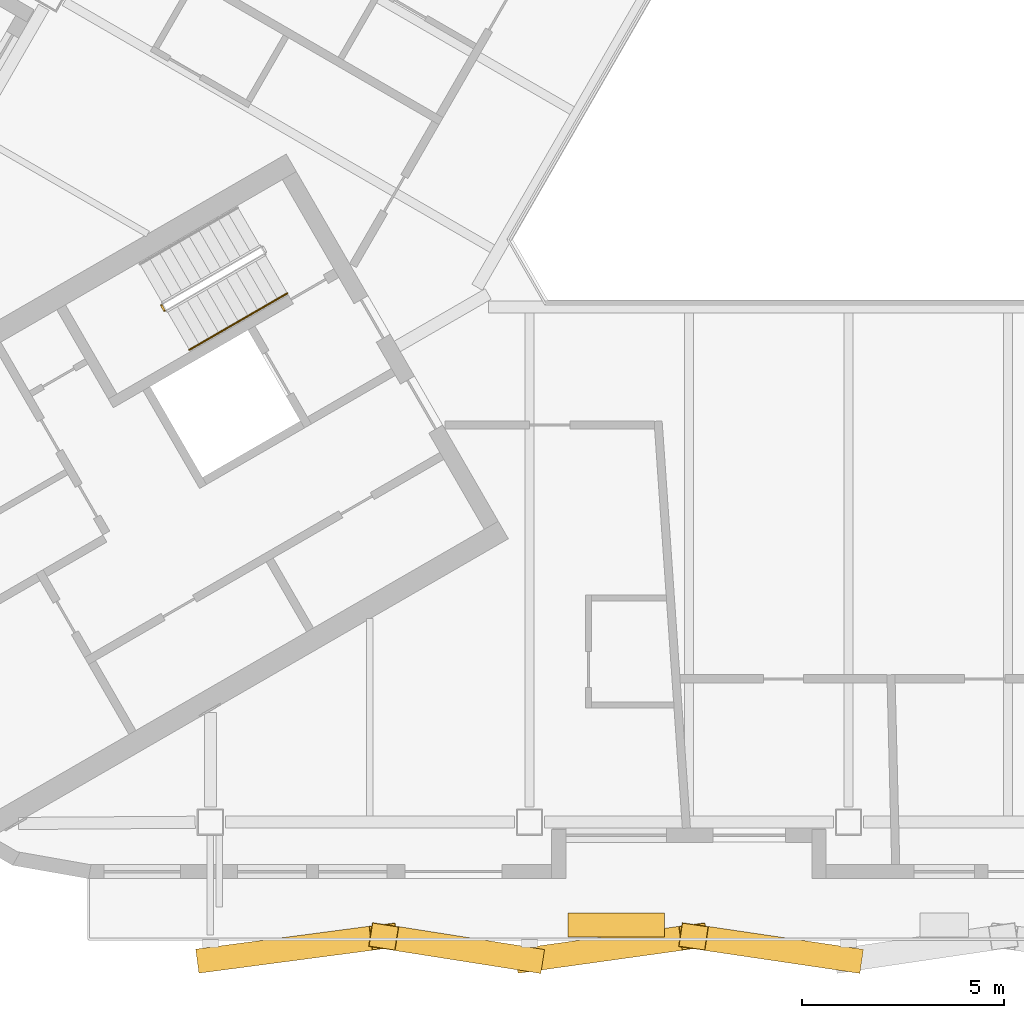
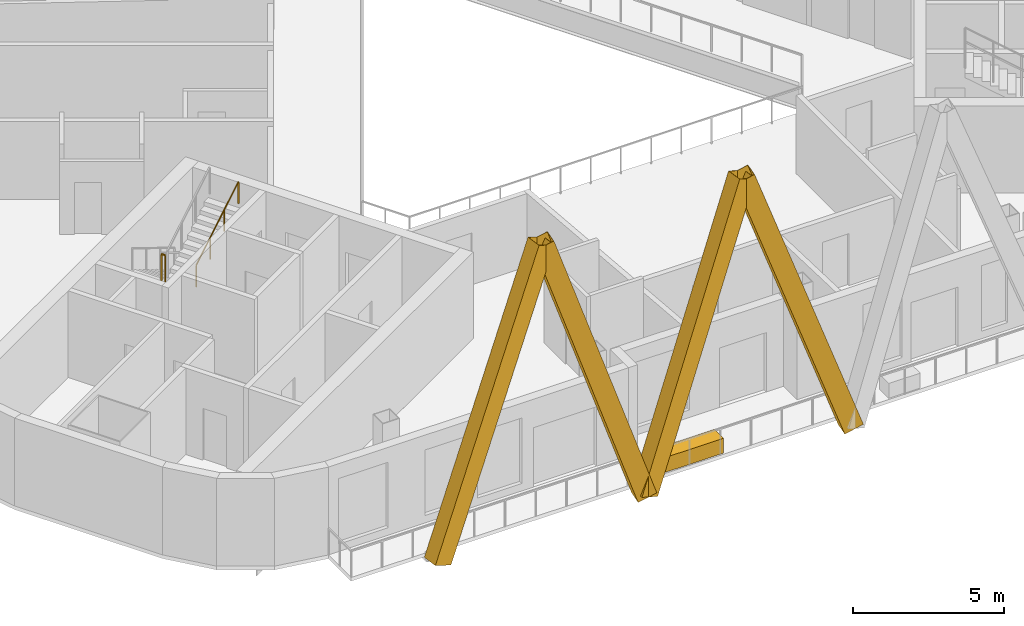
# One storey, part 12 of 18: 4 shading devices, 2 railings, 1 covering.
"""IFC4 building model written with IfcOpenShell, lengths in metres."""

from ifc_helpers import new_model, si_unit, direction, frame, origin, origin_2d, place, context, subcontext, project, spatial, rectangle, hollow_rectangle, circle, extrude, material, material_profile, profile_set, type_object, element, save


model = new_model("IFC4")

# Units and contexts
model_context = context("Model", 3, precision=1e-05, world=origin(), true_north=direction((0.0, 1.0)))
body_context = subcontext(model_context, "Body", "Model", "MODEL_VIEW")
ifc_project = project(units=[si_unit("LENGTHUNIT", "METRE"), si_unit("AREAUNIT", "SQUARE_METRE"), si_unit("VOLUMEUNIT", "CUBIC_METRE"), si_unit("PLANEANGLEUNIT", "RADIAN"), si_unit("MASSUNIT", "GRAM", prefix="KILO")], contexts=[model_context])

# Site, building, storey
site_placement = place(None, origin())
site = spatial("IfcSite", under=ifc_project, at=site_placement, CompositionType="ELEMENT")
building_placement = place(site_placement, origin())
building = spatial("IfcBuilding", under=site, at=building_placement, Name="Apuvela Tower Hotel", CompositionType="ELEMENT")
storey_placement = place(building_placement, frame((0.0, 0.0, 246.699951171875)))
storey = spatial("IfcBuildingStorey", under=building, at=storey_placement, Name="L60", CompositionType="ELEMENT", Elevation=246.699951171875)

# Railings
ifc_material_1 = material(Name="Steel S275 balustrade", Category="steel")
railing_type_1 = type_object("IfcRailingType", Name="COR-GUARD-1100", PredefinedType="GUARDRAIL", material=ifc_material_1)
railing_1_placement = place(storey_placement, frame((-17.01220703125, -5.43408203125, 1.85009765625)))
element("IfcRailing", 1, at=railing_1_placement, inside=storey, type_object=railing_type_1, Name="L60 ST2 stair guard 2", PredefinedType="GUARDRAIL", context=body_context, shape_type="SweptSolid", body=[
    extrude(rectangle(XDim=0.048095703125, YDim=0.048095703125, at=origin_2d()), frame((0.0, 0.0, 1.076171875), z_axis=(0.499816412211, -0.866131372301, 0.0), x_axis=(0.866131372301, 0.499816412211, 0.0)), (0.0, 0.0, 1.0), 0.14990234375),
    extrude(rectangle(XDim=0.0419921875, YDim=0.0419921875, at=origin_2d()), origin(), (0.0, 0.0, 1.0), 1.052001953125),
    extrude(rectangle(XDim=0.0419921875, YDim=0.0419921875, at=origin_2d()), frame((0.074951171875, -0.1298828125, 0.0)), (0.0, 0.0, 1.0), 1.052001953125),
])
ifc_material_2 = material(Name="Stainless steel 316 handrail", Category="steel")
railing_type_2 = type_object("IfcRailingType", Name="COR-HANDRAIL-900", PredefinedType="HANDRAIL", material=ifc_material_2)
railing_2_placement = place(storey_placement, frame((-16.31884765625, -6.534912109375, 2.018310546875)))
element("IfcRailing", 2, at=railing_2_placement, inside=storey, type_object=railing_type_2, Name="L60 ST2 stair handrail 2", PredefinedType="HANDRAIL", context=body_context, shape_type="SweptSolid", body=[
    extrude(circle(Radius=0.02392578125, at=origin_2d()), frame((0.0, 0.0, 0.8759765625), z_axis=(0.74241905619, 0.428617687091, 0.514879426), x_axis=(-0.49998411664, 0.866034573852, 0.0)), (0.0, 0.0, 1.0), 3.26611328125),
    extrude(rectangle(XDim=0.0419921875, YDim=0.0419921875, at=origin_2d()), origin(), (0.0, 0.0, 1.0), 0.851806640625),
    extrude(rectangle(XDim=0.0419921875, YDim=0.0419921875, at=origin_2d()), frame((0.808349609375, 0.466552734375, 0.560546875)), (0.0, 0.0, 1.0), 0.851806640625),
    extrude(rectangle(XDim=0.0419921875, YDim=0.0419921875, at=origin_2d()), frame((1.616455078125, 0.933349609375, 1.12109375)), (0.0, 0.0, 1.0), 0.851806640625),
    extrude(rectangle(XDim=0.0419921875, YDim=0.0419921875, at=origin_2d()), frame((2.4248046875, 1.39990234375, 1.681640625)), (0.0, 0.0, 1.0), 0.851806640625),
])

# Shading devices
ifc_material_3 = material(Name="Aluminium 6063-T6, black anodised", Category="aluminium")
ifc_material_profile = material_profile(ifc_material_3, hollow_rectangle(XDim=0.60009765625, YDim=0.699951171875, WallThickness=0.011962890625, at=origin_2d()), Name="AL BOX 700x600x12")
ifc_profile_set = profile_set([ifc_material_profile], Name="Aluminium 6063-T6, black anodised")
shading_device_type = type_object("IfcShadingDeviceType", Name="ENV-FIN-700x600", PredefinedType="USERDEFINED", material=ifc_profile_set)
shading_device_1_placement = place(storey_placement, frame((-15.800048828125, -21.6298828125, -0.099853515625), z_axis=(0.360258113368, 0.047580873627, 0.931638423541), x_axis=(-0.130937323536, 0.991390648183, 0.0)))
element("IfcShadingDevice", 3, at=shading_device_1_placement, inside=storey, type_object=shading_device_type, Name="Lattice fin S529", ObjectType="FIN", PredefinedType="USERDEFINED", context=body_context, shape_type="SweptSolid", body=[
    extrude(hollow_rectangle(XDim=0.60009765625, YDim=0.699951171875, WallThickness=0.011962890625, at=origin_2d()), origin(), (0.0, 0.0, 1.0), 11.914306640625),
])
shading_device_2_placement = place(storey_placement, frame((-7.89990234375, -21.6298828125, -0.099853515625), z_axis=(-0.30875756098, 0.048513672797, 0.949902727699), x_axis=(-0.155221058729, -0.987879761371, 0.0)))
element("IfcShadingDevice", 4, at=shading_device_2_placement, inside=storey, type_object=shading_device_type, Name="Lattice fin S530", ObjectType="FIN", PredefinedType="USERDEFINED", context=body_context, shape_type="SweptSolid", body=[
    extrude(hollow_rectangle(XDim=0.60009765625, YDim=0.699951171875, WallThickness=0.011962890625, at=origin_2d()), origin(), (0.0, 0.0, 1.0), 11.685302734375),
])
shading_device_3_placement = place(storey_placement, frame((-7.89990234375, -21.6298828125, -0.099853515625), z_axis=(0.343413845708, 0.047903817718, 0.937961702216), x_axis=(-0.138155314048, 0.990410576075, 0.0)))
element("IfcShadingDevice", 5, at=shading_device_3_placement, inside=storey, type_object=shading_device_type, Name="Lattice fin S531", ObjectType="FIN", PredefinedType="USERDEFINED", context=body_context, shape_type="SweptSolid", body=[
    extrude(hollow_rectangle(XDim=0.60009765625, YDim=0.699951171875, WallThickness=0.011962890625, at=origin_2d()), origin(), (0.0, 0.0, 1.0), 11.833984375),
])
shading_device_4_placement = place(storey_placement, frame((0.0, -21.6298828125, -0.099853515625), z_axis=(-0.326250119611, 0.048214917117, 0.944053060596), x_axis=(-0.146197249059, -0.98925545961, 0.0)))
element("IfcShadingDevice", 6, at=shading_device_4_placement, inside=storey, type_object=shading_device_type, Name="Lattice fin S532", ObjectType="FIN", PredefinedType="USERDEFINED", context=body_context, shape_type="SweptSolid", body=[
    extrude(hollow_rectangle(XDim=0.60009765625, YDim=0.699951171875, WallThickness=0.011962890625, at=origin_2d()), origin(), (0.0, 0.0, 1.0), 11.757568359375),
])

# Covering
ifc_material_4 = material(Name="Planting substrate and soil, planted")
covering_type = type_object("IfcCoveringType", Name="ENV-PLANTER-2400x600", PredefinedType="USERDEFINED", material=ifc_material_4)
covering_placement = place(storey_placement, frame((-5.74951171875, -20.780029296875, 0.0), z_axis=(0.0, 0.0, 1.0), x_axis=(1.0, 0.0, 0.0)))
element("IfcCovering", 7, at=covering_placement, inside=storey, type_object=covering_type, Name="Planter S1", ObjectType="PLANTER", PredefinedType="USERDEFINED", context=body_context, shape_type="SweptSolid", body=[
    extrude(rectangle(XDim=2.39990234375, YDim=0.60009765625, at=origin_2d()), origin(), (0.0, 0.0, 1.0), 0.60009765625),
])

save(model, "model.ifc")
